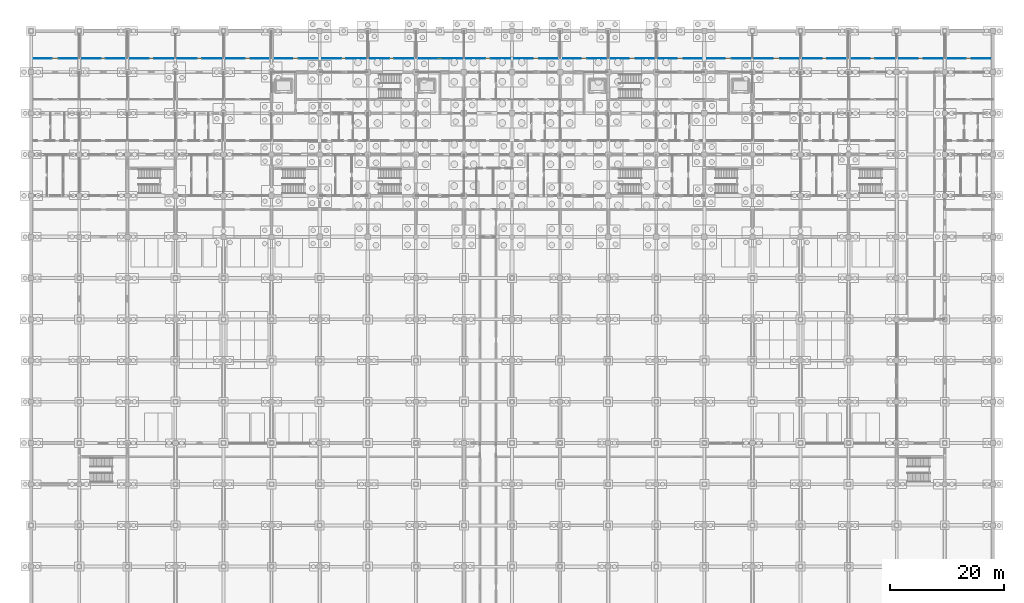
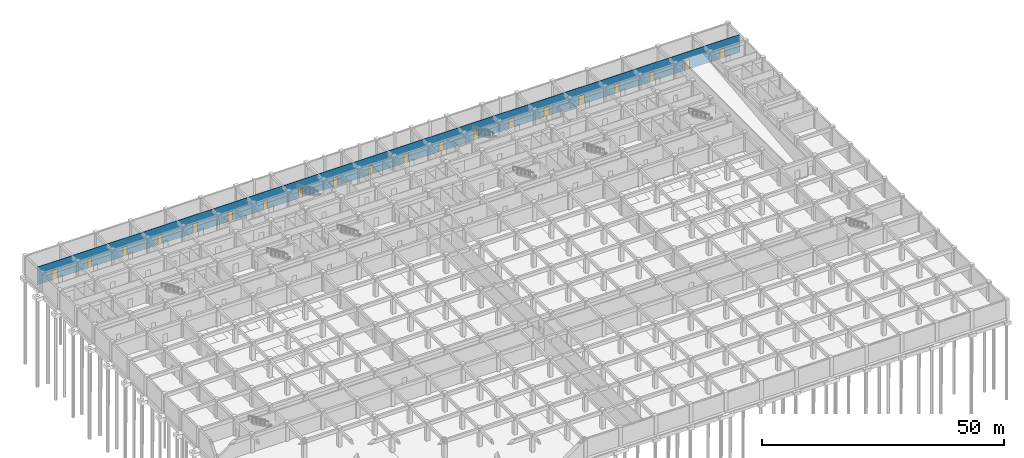
# One storey, part 73 of 85: 20 doors, 1 wall, 20 openings.
"""IFC4 building model written with IfcOpenShell, lengths in metres."""

from ifc_helpers import new_model, si_unit, direction, frame, frame_2d, origin, place, context, subcontext, project, spatial, rectangle, extrude, material, layer, layer_set, type_object, element, fill, save


model = new_model("IFC4")

# Units and contexts
model_context = context("Model", 3, precision=1e-05, world=origin(), true_north=direction((0.0, 1.0)))
body_context = subcontext(model_context, "Body", "Model", "MODEL_VIEW")
ifc_project = project(units=[si_unit("LENGTHUNIT", "METRE"), si_unit("AREAUNIT", "SQUARE_METRE"), si_unit("VOLUMEUNIT", "CUBIC_METRE"), si_unit("PLANEANGLEUNIT", "RADIAN"), si_unit("MASSUNIT", "GRAM", prefix="KILO")], contexts=[model_context])

# Site, building, storey
site_placement = place(None, origin())
site = spatial("IfcSite", under=ifc_project, at=site_placement, CompositionType="ELEMENT")
building_placement = place(site_placement, origin())
building = spatial("IfcBuilding", under=site, at=building_placement, Name="Chengyuan Square Courthouse", CompositionType="ELEMENT")
storey_placement = place(building_placement, frame((0.0, 0.0, -10.199951171875)))
storey = spatial("IfcBuildingStorey", under=building, at=storey_placement, Name="B02", CompositionType="ELEMENT", Elevation=-10.199951171875)

# Wall, openings, doors
ifc_material_1 = material(Name="Gypsum Plasterboard Acoustic Stud Partition")
ifc_layer = layer(ifc_material_1, 0.10009765625)
ifc_layer_set = layer_set([ifc_layer], Name="Gypsum Plasterboard Acoustic Stud Partition")
wall_type = type_object("IfcWallType", Name="WL-PT6", PredefinedType="STANDARD", material=ifc_layer_set)
wall_placement = place(storey_placement, frame((0.0400390625, 110.39990234375, 0.0), z_axis=(0.0, 0.0, 1.0), x_axis=(1.0, 0.0, 0.0)))
wall = element("IfcWall", 1, at=wall_placement, inside=storey, type_object=wall_type, Name="Interior Wall WL-B02-I111", PredefinedType="STANDARD", context=body_context, shape_type="SweptSolid", body=[
    extrude(rectangle(XDim=167.919921875, YDim=0.10009765625, at=frame_2d((83.9599609375, 0.0))), origin(), (0.0, 0.0, 1.0), 4.47998046875),
])
opening_1_placement = place(wall_placement, frame((3.5400390625, 0.0, 0.0)))
opening_1 = element("IfcOpeningElement", 2, at=opening_1_placement, cuts=wall, Name="Opening DR-267", PredefinedType="OPENING", context=body_context, shape_type="SweptSolid", body=[
    extrude(rectangle(XDim=1.280029296875, YDim=2.35009765625, at=frame_2d((0.64013671875, 1.175048828125))), frame((0.0, 0.06201171875, 0.0), z_axis=(0.0, -1.0, 0.0), x_axis=(1.0, 0.0, 0.0)), (0.0, 0.0, 1.0), 0.1240234375),
])
opening_2_placement = place(wall_placement, frame((12.090087890625, 0.0, 0.0)))
opening_2 = element("IfcOpeningElement", 3, at=opening_2_placement, cuts=wall, Name="Opening DR-268", PredefinedType="OPENING", context=body_context, shape_type="SweptSolid", body=[
    extrude(rectangle(XDim=0.93994140625, YDim=2.300048828125, at=frame_2d((0.469970703125, 1.14990234375))), frame((0.0, 0.06201171875, 0.0), z_axis=(0.0, -1.0, 0.0), x_axis=(1.0, 0.0, 0.0)), (0.0, 0.0, 1.0), 0.1240234375),
])
opening_3_placement = place(wall_placement, frame((20.469970703125, 0.0, 0.0)))
opening_3 = element("IfcOpeningElement", 4, at=opening_3_placement, cuts=wall, Name="Opening DR-269", PredefinedType="OPENING", context=body_context, shape_type="SweptSolid", body=[
    extrude(rectangle(XDim=0.97998046875, YDim=2.35009765625, at=frame_2d((0.489990234375, 1.175048828125))), frame((0.0, 0.06201171875, 0.0), z_axis=(0.0, -1.0, 0.0), x_axis=(1.0, 0.0, 0.0)), (0.0, 0.0, 1.0), 0.1240234375),
])
opening_4_placement = place(wall_placement, frame((28.85009765625, 0.0, 0.0)))
opening_4 = element("IfcOpeningElement", 5, at=opening_4_placement, cuts=wall, Name="Opening DR-270", PredefinedType="OPENING", context=body_context, shape_type="SweptSolid", body=[
    extrude(rectangle(XDim=1.02001953125, YDim=2.39990234375, at=frame_2d((0.510009765625, 1.199951171875))), frame((0.0, 0.06201171875, 0.0), z_axis=(0.0, -1.0, 0.0), x_axis=(1.0, 0.0, 0.0)), (0.0, 0.0, 1.0), 0.1240234375),
])
opening_5_placement = place(wall_placement, frame((37.22998046875, 0.0, 0.0)))
opening_5 = element("IfcOpeningElement", 6, at=opening_5_placement, cuts=wall, Name="Opening DR-271", PredefinedType="OPENING", context=body_context, shape_type="SweptSolid", body=[
    extrude(rectangle(XDim=1.06005859375, YDim=2.39990234375, at=frame_2d((0.530029296875, 1.199951171875))), frame((0.0, 0.06201171875, 0.0), z_axis=(0.0, -1.0, 0.0), x_axis=(1.0, 0.0, 0.0)), (0.0, 0.0, 1.0), 0.1240234375),
])
opening_6_placement = place(wall_placement, frame((45.590087890625, 0.0, 0.0)))
opening_6 = element("IfcOpeningElement", 7, at=opening_6_placement, cuts=wall, Name="Opening DR-272", PredefinedType="OPENING", context=body_context, shape_type="SweptSolid", body=[
    extrude(rectangle(XDim=1.139892578125, YDim=2.39990234375, at=frame_2d((0.56982421875, 1.199951171875))), frame((0.0, 0.06201171875, 0.0), z_axis=(0.0, -1.0, 0.0), x_axis=(1.0, 0.0, 0.0)), (0.0, 0.0, 1.0), 0.1240234375),
])
opening_7_placement = place(wall_placement, frame((54.1298828125, 0.0, 0.0)))
opening_7 = element("IfcOpeningElement", 8, at=opening_7_placement, cuts=wall, Name="Opening DR-274", PredefinedType="OPENING", context=body_context, shape_type="SweptSolid", body=[
    extrude(rectangle(XDim=0.860107421875, YDim=2.10009765625, at=frame_2d((0.43017578125, 1.050048828125))), frame((0.0, 0.06201171875, 0.0), z_axis=(0.0, -1.0, 0.0), x_axis=(1.0, 0.0, 0.0)), (0.0, 0.0, 1.0), 0.1240234375),
])
opening_8_placement = place(wall_placement, frame((62.5, 0.0, 0.0)))
opening_8 = element("IfcOpeningElement", 9, at=opening_8_placement, cuts=wall, Name="Opening DR-275", PredefinedType="OPENING", context=body_context, shape_type="SweptSolid", body=[
    extrude(rectangle(XDim=0.919921875, YDim=2.14990234375, at=frame_2d((0.4599609375, 1.074951171875))), frame((0.0, 0.06201171875, 0.0), z_axis=(0.0, -1.0, 0.0), x_axis=(1.0, 0.0, 0.0)), (0.0, 0.0, 1.0), 0.1240234375),
])
opening_9_placement = place(wall_placement, frame((70.8798828125, 0.0, 0.0)))
opening_9 = element("IfcOpeningElement", 10, at=opening_9_placement, cuts=wall, Name="Opening DR-276", PredefinedType="OPENING", context=body_context, shape_type="SweptSolid", body=[
    extrude(rectangle(XDim=0.9599609375, YDim=2.199951171875, at=frame_2d((0.47998046875, 1.10009765625))), frame((0.0, 0.06201171875, 0.0), z_axis=(0.0, -1.0, 0.0), x_axis=(1.0, 0.0, 0.0)), (0.0, 0.0, 1.0), 0.1240234375),
])
opening_10_placement = place(wall_placement, frame((79.260009765625, 0.0, 0.0)))
opening_10 = element("IfcOpeningElement", 11, at=opening_10_placement, cuts=wall, Name="Opening DR-277", PredefinedType="OPENING", context=body_context, shape_type="SweptSolid", body=[
    extrude(rectangle(XDim=1.0, YDim=2.25, at=frame_2d((0.5, 1.125))), frame((0.0, 0.06201171875, 0.0), z_axis=(0.0, -1.0, 0.0), x_axis=(1.0, 0.0, 0.0)), (0.0, 0.0, 1.0), 0.1240234375),
])
opening_11_placement = place(wall_placement, frame((87.6201171875, 0.0, 0.0)))
opening_11 = element("IfcOpeningElement", 12, at=opening_11_placement, cuts=wall, Name="Opening DR-279", PredefinedType="OPENING", context=body_context, shape_type="SweptSolid", body=[
    extrude(rectangle(XDim=1.080078125, YDim=2.25, at=frame_2d((0.5400390625, 1.125))), frame((0.0, 0.06201171875, 0.0), z_axis=(0.0, -1.0, 0.0), x_axis=(1.0, 0.0, 0.0)), (0.0, 0.0, 1.0), 0.1240234375),
])
opening_12_placement = place(wall_placement, frame((96.0, 0.0, 0.0)))
opening_12 = element("IfcOpeningElement", 13, at=opening_12_placement, cuts=wall, Name="Opening DR-280", PredefinedType="OPENING", context=body_context, shape_type="SweptSolid", body=[
    extrude(rectangle(XDim=1.1201171875, YDim=2.25, at=frame_2d((0.56005859375, 1.125))), frame((0.0, 0.06201171875, 0.0), z_axis=(0.0, -1.0, 0.0), x_axis=(1.0, 0.0, 0.0)), (0.0, 0.0, 1.0), 0.1240234375),
])
opening_13_placement = place(wall_placement, frame((104.3798828125, 0.0, 0.0)))
opening_13 = element("IfcOpeningElement", 14, at=opening_13_placement, cuts=wall, Name="Opening DR-281", PredefinedType="OPENING", context=body_context, shape_type="SweptSolid", body=[
    extrude(rectangle(XDim=1.159912109375, YDim=2.300048828125, at=frame_2d((0.580078125, 1.14990234375))), frame((0.0, 0.06201171875, 0.0), z_axis=(0.0, -1.0, 0.0), x_axis=(1.0, 0.0, 0.0)), (0.0, 0.0, 1.0), 0.1240234375),
])
opening_14_placement = place(wall_placement, frame((112.760009765625, 0.0, 0.0)))
opening_14 = element("IfcOpeningElement", 15, at=opening_14_placement, cuts=wall, Name="Opening DR-282", PredefinedType="OPENING", context=body_context, shape_type="SweptSolid", body=[
    extrude(rectangle(XDim=1.199951171875, YDim=2.35009765625, at=frame_2d((0.60009765625, 1.175048828125))), frame((0.0, 0.06201171875, 0.0), z_axis=(0.0, -1.0, 0.0), x_axis=(1.0, 0.0, 0.0)), (0.0, 0.0, 1.0), 0.1240234375),
])
opening_15_placement = place(wall_placement, frame((121.139892578125, 0.0, 0.0)))
opening_15 = element("IfcOpeningElement", 16, at=opening_15_placement, cuts=wall, Name="Opening DR-283", PredefinedType="OPENING", context=body_context, shape_type="SweptSolid", body=[
    extrude(rectangle(XDim=1.239990234375, YDim=2.300048828125, at=frame_2d((0.6201171875, 1.14990234375))), frame((0.0, 0.06201171875, 0.0), z_axis=(0.0, -1.0, 0.0), x_axis=(1.0, 0.0, 0.0)), (0.0, 0.0, 1.0), 0.1240234375),
])
opening_16_placement = place(wall_placement, frame((129.52001953125, 0.0, 0.0)))
opening_16 = element("IfcOpeningElement", 17, at=opening_16_placement, cuts=wall, Name="Opening DR-284", PredefinedType="OPENING", context=body_context, shape_type="SweptSolid", body=[
    extrude(rectangle(XDim=1.280029296875, YDim=2.35009765625, at=frame_2d((0.64013671875, 1.175048828125))), frame((0.0, 0.06201171875, 0.0), z_axis=(0.0, -1.0, 0.0), x_axis=(1.0, 0.0, 0.0)), (0.0, 0.0, 1.0), 0.1240234375),
])
opening_17_placement = place(wall_placement, frame((138.090087890625, 0.0, 0.0)))
opening_17 = element("IfcOpeningElement", 18, at=opening_17_placement, cuts=wall, Name="Opening DR-285", PredefinedType="OPENING", context=body_context, shape_type="SweptSolid", body=[
    extrude(rectangle(XDim=0.93994140625, YDim=2.300048828125, at=frame_2d((0.469970703125, 1.14990234375))), frame((0.0, 0.06201171875, 0.0), z_axis=(0.0, -1.0, 0.0), x_axis=(1.0, 0.0, 0.0)), (0.0, 0.0, 1.0), 0.1240234375),
])
opening_18_placement = place(wall_placement, frame((146.469970703125, 0.0, 0.0)))
opening_18 = element("IfcOpeningElement", 19, at=opening_18_placement, cuts=wall, Name="Opening DR-286", PredefinedType="OPENING", context=body_context, shape_type="SweptSolid", body=[
    extrude(rectangle(XDim=0.97998046875, YDim=2.35009765625, at=frame_2d((0.489990234375, 1.175048828125))), frame((0.0, 0.06201171875, 0.0), z_axis=(0.0, -1.0, 0.0), x_axis=(1.0, 0.0, 0.0)), (0.0, 0.0, 1.0), 0.1240234375),
])
opening_19_placement = place(wall_placement, frame((154.85009765625, 0.0, 0.0)))
opening_19 = element("IfcOpeningElement", 20, at=opening_19_placement, cuts=wall, Name="Opening DR-287", PredefinedType="OPENING", context=body_context, shape_type="SweptSolid", body=[
    extrude(rectangle(XDim=1.02001953125, YDim=2.39990234375, at=frame_2d((0.510009765625, 1.199951171875))), frame((0.0, 0.06201171875, 0.0), z_axis=(0.0, -1.0, 0.0), x_axis=(1.0, 0.0, 0.0)), (0.0, 0.0, 1.0), 0.1240234375),
])
opening_20_placement = place(wall_placement, frame((163.2099609375, 0.0, 0.0)))
opening_20 = element("IfcOpeningElement", 21, at=opening_20_placement, cuts=wall, Name="Opening DR-288", PredefinedType="OPENING", context=body_context, shape_type="SweptSolid", body=[
    extrude(rectangle(XDim=1.06005859375, YDim=2.39990234375, at=frame_2d((0.530029296875, 1.199951171875))), frame((0.0, 0.06201171875, 0.0), z_axis=(0.0, -1.0, 0.0), x_axis=(1.0, 0.0, 0.0)), (0.0, 0.0, 1.0), 0.1240234375),
])
ifc_material_2 = material(Name="Acoustic Solid-Core Timber Door", Category="wood")
door_type_1 = type_object("IfcDoorType", Name="DT-28", OperationType="NOTDEFINED", PredefinedType="DOOR", material=ifc_material_2)
door_1_placement = place(opening_7_placement, origin())
door_1 = element("IfcDoor", 22, at=door_1_placement, inside=storey, type_object=door_type_1, Name="Interior Door DR-274", OperationType="SINGLE_SWING_LEFT", OverallHeight=2.10009765625, OverallWidth=0.860107421875, PredefinedType="DOOR", context=body_context, shape_type="SweptSolid", body=[
    extrude(rectangle(XDim=0.860107421875, YDim=2.10009765625, at=frame_2d((0.43017578125, 1.050048828125))), frame((0.0, 0.02490234375, 0.0), z_axis=(0.0, -1.0, 0.0), x_axis=(1.0, 0.0, 0.0)), (0.0, 0.0, 1.0), 0.050048828125),
])
fill(opening_7, door_1)
door_type_2 = type_object("IfcDoorType", Name="DT-29", OperationType="NOTDEFINED", PredefinedType="DOOR", material=ifc_material_2)
door_2_placement = place(opening_8_placement, origin())
door_2 = element("IfcDoor", 23, at=door_2_placement, inside=storey, type_object=door_type_2, Name="Interior Door DR-275", OperationType="SINGLE_SWING_RIGHT", OverallHeight=2.14990234375, OverallWidth=0.919921875, PredefinedType="DOOR", context=body_context, shape_type="SweptSolid", body=[
    extrude(rectangle(XDim=0.919921875, YDim=2.14990234375, at=frame_2d((0.4599609375, 1.074951171875))), frame((0.0, 0.02490234375, 0.0), z_axis=(0.0, -1.0, 0.0), x_axis=(1.0, 0.0, 0.0)), (0.0, 0.0, 1.0), 0.050048828125),
])
fill(opening_8, door_2)
door_type_3 = type_object("IfcDoorType", Name="DT-30", OperationType="NOTDEFINED", PredefinedType="DOOR", material=ifc_material_2)
door_3_placement = place(opening_9_placement, origin())
door_3 = element("IfcDoor", 24, at=door_3_placement, inside=storey, type_object=door_type_3, Name="Interior Door DR-276", OperationType="SINGLE_SWING_LEFT", OverallHeight=2.199951171875, OverallWidth=0.9599609375, PredefinedType="DOOR", context=body_context, shape_type="SweptSolid", body=[
    extrude(rectangle(XDim=0.9599609375, YDim=2.199951171875, at=frame_2d((0.47998046875, 1.10009765625))), frame((0.0, 0.02490234375, 0.0), z_axis=(0.0, -1.0, 0.0), x_axis=(1.0, 0.0, 0.0)), (0.0, 0.0, 1.0), 0.050048828125),
])
fill(opening_9, door_3)
door_type_4 = type_object("IfcDoorType", Name="DT-31", OperationType="NOTDEFINED", PredefinedType="DOOR", material=ifc_material_2)
door_4_placement = place(opening_10_placement, origin())
door_4 = element("IfcDoor", 25, at=door_4_placement, inside=storey, type_object=door_type_4, Name="Interior Door DR-277", OperationType="SINGLE_SWING_RIGHT", OverallHeight=2.25, OverallWidth=1.0, PredefinedType="DOOR", context=body_context, shape_type="SweptSolid", body=[
    extrude(rectangle(XDim=1.0, YDim=2.25, at=frame_2d((0.5, 1.125))), frame((0.0, 0.02490234375, 0.0), z_axis=(0.0, -1.0, 0.0), x_axis=(1.0, 0.0, 0.0)), (0.0, 0.0, 1.0), 0.050048828125),
])
fill(opening_10, door_4)
door_type_5 = type_object("IfcDoorType", Name="DT-33", OperationType="NOTDEFINED", PredefinedType="DOOR", material=ifc_material_2)
door_5_placement = place(opening_11_placement, origin())
door_5 = element("IfcDoor", 26, at=door_5_placement, inside=storey, type_object=door_type_5, Name="Interior Door DR-279", OperationType="SINGLE_SWING_RIGHT", OverallHeight=2.25, OverallWidth=1.080078125, PredefinedType="DOOR", context=body_context, shape_type="SweptSolid", body=[
    extrude(rectangle(XDim=1.080078125, YDim=2.25, at=frame_2d((0.5400390625, 1.125))), frame((0.0, 0.02490234375, 0.0), z_axis=(0.0, -1.0, 0.0), x_axis=(1.0, 0.0, 0.0)), (0.0, 0.0, 1.0), 0.050048828125),
])
fill(opening_11, door_5)
door_type_6 = type_object("IfcDoorType", Name="DT-34", OperationType="NOTDEFINED", PredefinedType="DOOR", material=ifc_material_2)
door_6_placement = place(opening_12_placement, origin())
door_6 = element("IfcDoor", 27, at=door_6_placement, inside=storey, type_object=door_type_6, Name="Interior Door DR-280", OperationType="SINGLE_SWING_LEFT", OverallHeight=2.25, OverallWidth=1.1201171875, PredefinedType="DOOR", context=body_context, shape_type="SweptSolid", body=[
    extrude(rectangle(XDim=1.1201171875, YDim=2.25, at=frame_2d((0.56005859375, 1.125))), frame((0.0, 0.02490234375, 0.0), z_axis=(0.0, -1.0, 0.0), x_axis=(1.0, 0.0, 0.0)), (0.0, 0.0, 1.0), 0.050048828125),
])
fill(opening_12, door_6)
door_type_7 = type_object("IfcDoorType", Name="DT-35", OperationType="NOTDEFINED", PredefinedType="DOOR", material=ifc_material_2)
door_7_placement = place(opening_13_placement, origin())
door_7 = element("IfcDoor", 28, at=door_7_placement, inside=storey, type_object=door_type_7, Name="Interior Door DR-281", OperationType="SINGLE_SWING_RIGHT", OverallHeight=2.300048828125, OverallWidth=1.159912109375, PredefinedType="DOOR", context=body_context, shape_type="SweptSolid", body=[
    extrude(rectangle(XDim=1.159912109375, YDim=2.300048828125, at=frame_2d((0.580078125, 1.14990234375))), frame((0.0, 0.02490234375, 0.0), z_axis=(0.0, -1.0, 0.0), x_axis=(1.0, 0.0, 0.0)), (0.0, 0.0, 1.0), 0.050048828125),
])
fill(opening_13, door_7)
door_type_8 = type_object("IfcDoorType", Name="DT-36", OperationType="NOTDEFINED", PredefinedType="DOOR", material=ifc_material_2)
door_8_placement = place(opening_14_placement, origin())
door_8 = element("IfcDoor", 29, at=door_8_placement, inside=storey, type_object=door_type_8, Name="Interior Door DR-282", OperationType="SINGLE_SWING_LEFT", OverallHeight=2.35009765625, OverallWidth=1.199951171875, PredefinedType="DOOR", context=body_context, shape_type="SweptSolid", body=[
    extrude(rectangle(XDim=1.199951171875, YDim=2.35009765625, at=frame_2d((0.60009765625, 1.175048828125))), frame((0.0, 0.02490234375, 0.0), z_axis=(0.0, -1.0, 0.0), x_axis=(1.0, 0.0, 0.0)), (0.0, 0.0, 1.0), 0.050048828125),
])
fill(opening_14, door_8)
door_type_9 = type_object("IfcDoorType", Name="DT-37", OperationType="NOTDEFINED", PredefinedType="DOOR", material=ifc_material_2)
door_9_placement = place(opening_15_placement, origin())
door_9 = element("IfcDoor", 30, at=door_9_placement, inside=storey, type_object=door_type_9, Name="Interior Door DR-283", OperationType="SINGLE_SWING_RIGHT", OverallHeight=2.300048828125, OverallWidth=1.239990234375, PredefinedType="DOOR", context=body_context, shape_type="SweptSolid", body=[
    extrude(rectangle(XDim=1.239990234375, YDim=2.300048828125, at=frame_2d((0.6201171875, 1.14990234375))), frame((0.0, 0.02490234375, 0.0), z_axis=(0.0, -1.0, 0.0), x_axis=(1.0, 0.0, 0.0)), (0.0, 0.0, 1.0), 0.050048828125),
])
fill(opening_15, door_9)
door_type_10 = type_object("IfcDoorType", Name="DT-38", OperationType="NOTDEFINED", PredefinedType="DOOR", material=ifc_material_2)
door_10_placement = place(opening_1_placement, origin())
door_10 = element("IfcDoor", 31, at=door_10_placement, inside=storey, type_object=door_type_10, Name="Interior Door DR-267", OperationType="SINGLE_SWING_RIGHT", OverallHeight=2.35009765625, OverallWidth=1.280029296875, PredefinedType="DOOR", context=body_context, shape_type="SweptSolid", body=[
    extrude(rectangle(XDim=1.280029296875, YDim=2.35009765625, at=frame_2d((0.64013671875, 1.175048828125))), frame((0.0, 0.02490234375, 0.0), z_axis=(0.0, -1.0, 0.0), x_axis=(1.0, 0.0, 0.0)), (0.0, 0.0, 1.0), 0.050048828125),
])
fill(opening_1, door_10)
door_11_placement = place(opening_16_placement, origin())
door_11 = element("IfcDoor", 32, at=door_11_placement, inside=storey, type_object=door_type_10, Name="Interior Door DR-284", OperationType="SINGLE_SWING_LEFT", OverallHeight=2.35009765625, OverallWidth=1.280029296875, PredefinedType="DOOR", context=body_context, shape_type="SweptSolid", body=[
    extrude(rectangle(XDim=1.280029296875, YDim=2.35009765625, at=frame_2d((0.64013671875, 1.175048828125))), frame((0.0, 0.02490234375, 0.0), z_axis=(0.0, -1.0, 0.0), x_axis=(1.0, 0.0, 0.0)), (0.0, 0.0, 1.0), 0.050048828125),
])
fill(opening_16, door_11)
door_type_11 = type_object("IfcDoorType", Name="DT-39", OperationType="NOTDEFINED", PredefinedType="DOOR", material=ifc_material_2)
door_12_placement = place(opening_2_placement, origin())
door_12 = element("IfcDoor", 33, at=door_12_placement, inside=storey, type_object=door_type_11, Name="Interior Door DR-268", OperationType="SINGLE_SWING_LEFT", OverallHeight=2.300048828125, OverallWidth=0.93994140625, PredefinedType="DOOR", context=body_context, shape_type="SweptSolid", body=[
    extrude(rectangle(XDim=0.93994140625, YDim=2.300048828125, at=frame_2d((0.469970703125, 1.14990234375))), frame((0.0, 0.02490234375, 0.0), z_axis=(0.0, -1.0, 0.0), x_axis=(1.0, 0.0, 0.0)), (0.0, 0.0, 1.0), 0.050048828125),
])
fill(opening_2, door_12)
door_13_placement = place(opening_17_placement, origin())
door_13 = element("IfcDoor", 34, at=door_13_placement, inside=storey, type_object=door_type_11, Name="Interior Door DR-285", OperationType="SINGLE_SWING_RIGHT", OverallHeight=2.300048828125, OverallWidth=0.93994140625, PredefinedType="DOOR", context=body_context, shape_type="SweptSolid", body=[
    extrude(rectangle(XDim=0.93994140625, YDim=2.300048828125, at=frame_2d((0.469970703125, 1.14990234375))), frame((0.0, 0.02490234375, 0.0), z_axis=(0.0, -1.0, 0.0), x_axis=(1.0, 0.0, 0.0)), (0.0, 0.0, 1.0), 0.050048828125),
])
fill(opening_17, door_13)
door_type_12 = type_object("IfcDoorType", Name="DT-40", OperationType="NOTDEFINED", PredefinedType="DOOR", material=ifc_material_2)
door_14_placement = place(opening_3_placement, origin())
door_14 = element("IfcDoor", 35, at=door_14_placement, inside=storey, type_object=door_type_12, Name="Interior Door DR-269", OperationType="SINGLE_SWING_RIGHT", OverallHeight=2.35009765625, OverallWidth=0.97998046875, PredefinedType="DOOR", context=body_context, shape_type="SweptSolid", body=[
    extrude(rectangle(XDim=0.97998046875, YDim=2.35009765625, at=frame_2d((0.489990234375, 1.175048828125))), frame((0.0, 0.02490234375, 0.0), z_axis=(0.0, -1.0, 0.0), x_axis=(1.0, 0.0, 0.0)), (0.0, 0.0, 1.0), 0.050048828125),
])
fill(opening_3, door_14)
door_15_placement = place(opening_18_placement, origin())
door_15 = element("IfcDoor", 36, at=door_15_placement, inside=storey, type_object=door_type_12, Name="Interior Door DR-286", OperationType="SINGLE_SWING_LEFT", OverallHeight=2.35009765625, OverallWidth=0.97998046875, PredefinedType="DOOR", context=body_context, shape_type="SweptSolid", body=[
    extrude(rectangle(XDim=0.97998046875, YDim=2.35009765625, at=frame_2d((0.489990234375, 1.175048828125))), frame((0.0, 0.02490234375, 0.0), z_axis=(0.0, -1.0, 0.0), x_axis=(1.0, 0.0, 0.0)), (0.0, 0.0, 1.0), 0.050048828125),
])
fill(opening_18, door_15)
door_type_13 = type_object("IfcDoorType", Name="DT-41", OperationType="NOTDEFINED", PredefinedType="DOOR", material=ifc_material_2)
door_16_placement = place(opening_4_placement, origin())
door_16 = element("IfcDoor", 37, at=door_16_placement, inside=storey, type_object=door_type_13, Name="Interior Door DR-270", OperationType="SINGLE_SWING_LEFT", OverallHeight=2.39990234375, OverallWidth=1.02001953125, PredefinedType="DOOR", context=body_context, shape_type="SweptSolid", body=[
    extrude(rectangle(XDim=1.02001953125, YDim=2.39990234375, at=frame_2d((0.510009765625, 1.199951171875))), frame((0.0, 0.02490234375, 0.0), z_axis=(0.0, -1.0, 0.0), x_axis=(1.0, 0.0, 0.0)), (0.0, 0.0, 1.0), 0.050048828125),
])
fill(opening_4, door_16)
door_17_placement = place(opening_19_placement, origin())
door_17 = element("IfcDoor", 38, at=door_17_placement, inside=storey, type_object=door_type_13, Name="Interior Door DR-287", OperationType="SINGLE_SWING_RIGHT", OverallHeight=2.39990234375, OverallWidth=1.02001953125, PredefinedType="DOOR", context=body_context, shape_type="SweptSolid", body=[
    extrude(rectangle(XDim=1.02001953125, YDim=2.39990234375, at=frame_2d((0.510009765625, 1.199951171875))), frame((0.0, 0.02490234375, 0.0), z_axis=(0.0, -1.0, 0.0), x_axis=(1.0, 0.0, 0.0)), (0.0, 0.0, 1.0), 0.050048828125),
])
fill(opening_19, door_17)
door_type_14 = type_object("IfcDoorType", Name="DT-42", OperationType="NOTDEFINED", PredefinedType="DOOR", material=ifc_material_2)
door_18_placement = place(opening_5_placement, origin())
door_18 = element("IfcDoor", 39, at=door_18_placement, inside=storey, type_object=door_type_14, Name="Interior Door DR-271", OperationType="SINGLE_SWING_RIGHT", OverallHeight=2.39990234375, OverallWidth=1.06005859375, PredefinedType="DOOR", context=body_context, shape_type="SweptSolid", body=[
    extrude(rectangle(XDim=1.06005859375, YDim=2.39990234375, at=frame_2d((0.530029296875, 1.199951171875))), frame((0.0, 0.02490234375, 0.0), z_axis=(0.0, -1.0, 0.0), x_axis=(1.0, 0.0, 0.0)), (0.0, 0.0, 1.0), 0.050048828125),
])
fill(opening_5, door_18)
door_19_placement = place(opening_20_placement, origin())
door_19 = element("IfcDoor", 40, at=door_19_placement, inside=storey, type_object=door_type_14, Name="Interior Door DR-288", OperationType="SINGLE_SWING_LEFT", OverallHeight=2.39990234375, OverallWidth=1.06005859375, PredefinedType="DOOR", context=body_context, shape_type="SweptSolid", body=[
    extrude(rectangle(XDim=1.06005859375, YDim=2.39990234375, at=frame_2d((0.530029296875, 1.199951171875))), frame((0.0, 0.02490234375, 0.0), z_axis=(0.0, -1.0, 0.0), x_axis=(1.0, 0.0, 0.0)), (0.0, 0.0, 1.0), 0.050048828125),
])
fill(opening_20, door_19)
door_type_15 = type_object("IfcDoorType", Name="DT-43", OperationType="NOTDEFINED", PredefinedType="DOOR", material=ifc_material_2)
door_20_placement = place(opening_6_placement, origin())
door_20 = element("IfcDoor", 41, at=door_20_placement, inside=storey, type_object=door_type_15, Name="Interior Door DR-272", OperationType="SINGLE_SWING_LEFT", OverallHeight=2.39990234375, OverallWidth=1.139892578125, PredefinedType="DOOR", context=body_context, shape_type="SweptSolid", body=[
    extrude(rectangle(XDim=1.139892578125, YDim=2.39990234375, at=frame_2d((0.56982421875, 1.199951171875))), frame((0.0, 0.02490234375, 0.0), z_axis=(0.0, -1.0, 0.0), x_axis=(1.0, 0.0, 0.0)), (0.0, 0.0, 1.0), 0.050048828125),
])
fill(opening_6, door_20)

save(model, "model.ifc")
